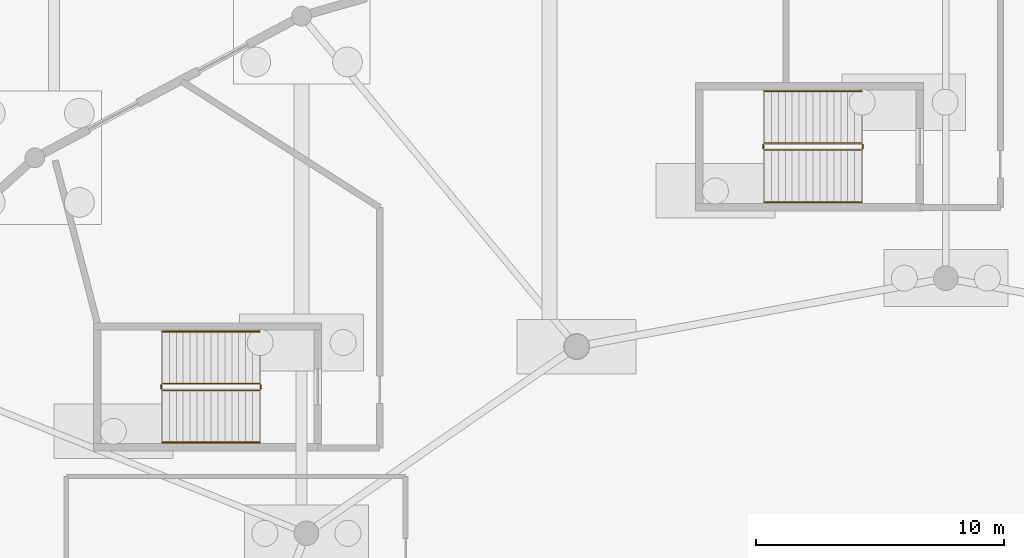
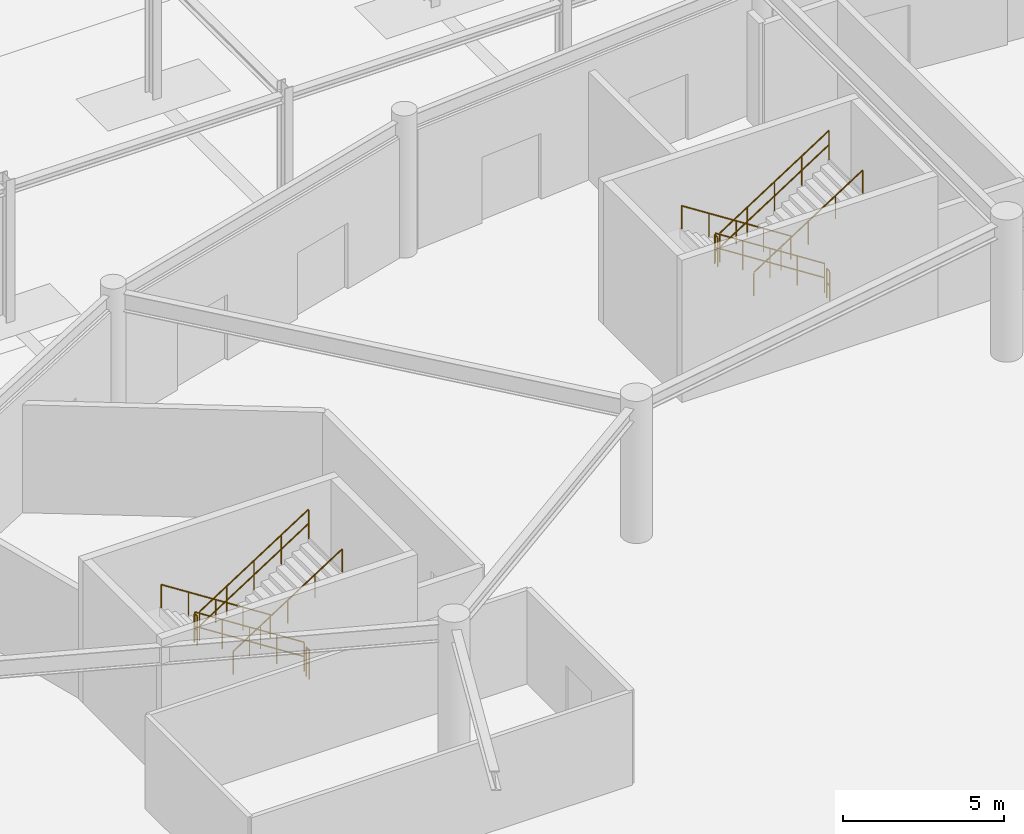
# One storey, part 91 of 99: 12 railings.
"""IFC4 building model written with IfcOpenShell, lengths in metres."""

from ifc_helpers import new_model, si_unit, direction, frame, origin, origin_2d, place, context, subcontext, project, spatial, circle, extrude, material, layer, layer_set, type_object, element, save


model = new_model("IFC4")

# Units and contexts
model_context = context("Model", 3, precision=1e-05, world=origin(), true_north=direction((0.0, 1.0)))
body_context = subcontext(model_context, "Body", "Model", "MODEL_VIEW")
ifc_project = project(units=[si_unit("LENGTHUNIT", "METRE"), si_unit("AREAUNIT", "SQUARE_METRE"), si_unit("VOLUMEUNIT", "CUBIC_METRE"), si_unit("PLANEANGLEUNIT", "RADIAN"), si_unit("MASSUNIT", "GRAM", prefix="KILO")], contexts=[model_context])

# Site, building, storey
site_placement = place(None, origin())
site = spatial("IfcSite", under=ifc_project, at=site_placement, CompositionType="ELEMENT")
building_placement = place(site_placement, origin())
building = spatial("IfcBuilding", under=site, at=building_placement, Name="Kivolera Central Railway Station", CompositionType="ELEMENT")
storey_placement = place(building_placement, origin())
storey = spatial("IfcBuildingStorey", under=building, at=storey_placement, Name="L00", CompositionType="ELEMENT", Elevation=0.0)

# Railings
ifc_material = material(Name="Anodised aluminium", Category="aluminium")
ifc_layer_1 = layer(ifc_material, 0.048095703125, Name="Anodised aluminium")
ifc_layer_set_1 = layer_set([ifc_layer_1], Name="Anodised aluminium")
railing_type_1 = type_object("IfcRailingType", Name="RL-STAIR-GUARD", PredefinedType="GUARDRAIL", material=ifc_layer_set_1)
railing_1_placement = place(storey_placement, frame((60.60009765625, 116.050048828125, 0.179931640625)))
element("IfcRailing", 1, at=railing_1_placement, inside=storey, type_object=railing_type_1, Name="L00 ST5 stair guard 1", PredefinedType="GUARDRAIL", context=body_context, shape_type="SweptSolid", body=[
    extrude(circle(Radius=0.02392578125, at=origin_2d()), frame((0.0, 0.0, 1.10595703125), z_axis=(-0.841186985886, 0.0, 0.540744352514), x_axis=(0.0, -1.0, 0.0)), (0.0, 0.0, 1.0), 4.660400390625),
    extrude(circle(Radius=0.02392578125, at=origin_2d()), frame((0.0, 0.0, 0.56494140625), z_axis=(-0.841186985886, 0.0, 0.540744352514), x_axis=(0.0, -1.0, 0.0)), (0.0, 0.0, 1.0), 4.660400390625),
    extrude(circle(Radius=0.02099609375, at=origin_2d()), origin(), (0.0, 0.0, 1.0), 1.081787109375),
    extrude(circle(Radius=0.02099609375, at=origin_2d()), frame((-0.97998046875, 0.0, 0.6298828125)), (0.0, 0.0, 1.0), 1.081787109375),
    extrude(circle(Radius=0.02099609375, at=origin_2d()), frame((-1.9599609375, 0.0, 1.260009765625)), (0.0, 0.0, 1.0), 1.081787109375),
    extrude(circle(Radius=0.02099609375, at=origin_2d()), frame((-2.940185546875, 0.0, 1.89013671875)), (0.0, 0.0, 1.0), 1.081787109375),
    extrude(circle(Radius=0.02099609375, at=origin_2d()), frame((-3.920166015625, 0.0, 2.52001953125)), (0.0, 0.0, 1.0), 1.081787109375),
])
railing_2_placement = place(storey_placement, frame((56.6298828125, 116.0, 2.699951171875)))
element("IfcRailing", 2, at=railing_2_placement, inside=storey, type_object=railing_type_1, Name="L00 ST5 stair guard 2", PredefinedType="GUARDRAIL", context=body_context, shape_type="SweptSolid", body=[
    extrude(circle(Radius=0.02392578125, at=origin_2d()), frame((0.0, 0.0, 1.10595703125), z_axis=(0.0, -1.0, 0.0), x_axis=(1.0, 0.0, 0.0)), (0.0, 0.0, 1.0), 0.179931640625),
    extrude(circle(Radius=0.02392578125, at=origin_2d()), frame((0.0, 0.0, 0.56494140625), z_axis=(0.0, -1.0, 0.0), x_axis=(1.0, 0.0, 0.0)), (0.0, 0.0, 1.0), 0.179931640625),
    extrude(circle(Radius=0.02099609375, at=origin_2d()), origin(), (0.0, 0.0, 1.0), 1.081787109375),
    extrude(circle(Radius=0.02099609375, at=origin_2d()), frame((0.0, -0.179931640625, 0.0)), (0.0, 0.0, 1.0), 1.081787109375),
])
railing_3_placement = place(storey_placement, frame((56.679931640625, 115.77001953125, 2.8798828125)))
element("IfcRailing", 3, at=railing_3_placement, inside=storey, type_object=railing_type_1, Name="L00 ST5 stair guard 3", PredefinedType="GUARDRAIL", context=body_context, shape_type="SweptSolid", body=[
    extrude(circle(Radius=0.02392578125, at=origin_2d()), frame((0.0, 0.0, 1.10595703125), z_axis=(0.841186985886, 0.0, 0.540744352514), x_axis=(0.0, 1.0, 0.0)), (0.0, 0.0, 1.0), 4.660400390625),
    extrude(circle(Radius=0.02392578125, at=origin_2d()), frame((0.0, 0.0, 0.56494140625), z_axis=(0.841186985886, 0.0, 0.540744352514), x_axis=(0.0, 1.0, 0.0)), (0.0, 0.0, 1.0), 4.660400390625),
    extrude(circle(Radius=0.02099609375, at=origin_2d()), origin(), (0.0, 0.0, 1.0), 1.081787109375),
    extrude(circle(Radius=0.02099609375, at=origin_2d()), frame((0.97998046875, 0.0, 0.6298828125)), (0.0, 0.0, 1.0), 1.081787109375),
    extrude(circle(Radius=0.02099609375, at=origin_2d()), frame((1.9599609375, 0.0, 1.260009765625)), (0.0, 0.0, 1.0), 1.081787109375),
    extrude(circle(Radius=0.02099609375, at=origin_2d()), frame((2.940185546875, 0.0, 1.89013671875)), (0.0, 0.0, 1.0), 1.081787109375),
    extrude(circle(Radius=0.02099609375, at=origin_2d()), frame((3.920166015625, 0.0, 2.52001953125)), (0.0, 0.0, 1.0), 1.081787109375),
])
railing_4_placement = place(storey_placement, frame((60.64990234375, 116.0, 0.0)))
element("IfcRailing", 4, at=railing_4_placement, inside=storey, type_object=railing_type_1, Name="L00 ST5 stair guard 4", PredefinedType="GUARDRAIL", context=body_context, shape_type="SweptSolid", body=[
    extrude(circle(Radius=0.02392578125, at=origin_2d()), frame((0.0, 0.0, 1.10595703125), z_axis=(0.0, -1.0, 0.0), x_axis=(1.0, 0.0, 0.0)), (0.0, 0.0, 1.0), 0.179931640625),
    extrude(circle(Radius=0.02392578125, at=origin_2d()), frame((0.0, 0.0, 0.56494140625), z_axis=(0.0, -1.0, 0.0), x_axis=(1.0, 0.0, 0.0)), (0.0, 0.0, 1.0), 0.179931640625),
    extrude(circle(Radius=0.02099609375, at=origin_2d()), origin(), (0.0, 0.0, 1.0), 1.081787109375),
    extrude(circle(Radius=0.02099609375, at=origin_2d()), frame((0.0, -0.179931640625, 0.0)), (0.0, 0.0, 1.0), 1.081787109375),
])
railing_5_placement = place(storey_placement, frame((36.300048828125, 106.35009765625, 0.179931640625)))
element("IfcRailing", 5, at=railing_5_placement, inside=storey, type_object=railing_type_1, Name="L00 ST6 stair guard 1", PredefinedType="GUARDRAIL", context=body_context, shape_type="SweptSolid", body=[
    extrude(circle(Radius=0.02392578125, at=origin_2d()), frame((0.0, 0.0, 1.10595703125), z_axis=(-0.841186985886, 0.0, 0.540744352514), x_axis=(0.0, -1.0, 0.0)), (0.0, 0.0, 1.0), 4.660400390625),
    extrude(circle(Radius=0.02392578125, at=origin_2d()), frame((0.0, 0.0, 0.56494140625), z_axis=(-0.841186985886, 0.0, 0.540744352514), x_axis=(0.0, -1.0, 0.0)), (0.0, 0.0, 1.0), 4.660400390625),
    extrude(circle(Radius=0.02099609375, at=origin_2d()), origin(), (0.0, 0.0, 1.0), 1.081787109375),
    extrude(circle(Radius=0.02099609375, at=origin_2d()), frame((-0.97998046875, 0.0, 0.6298828125)), (0.0, 0.0, 1.0), 1.081787109375),
    extrude(circle(Radius=0.02099609375, at=origin_2d()), frame((-1.9599609375, 0.0, 1.260009765625)), (0.0, 0.0, 1.0), 1.081787109375),
    extrude(circle(Radius=0.02099609375, at=origin_2d()), frame((-2.940185546875, 0.0, 1.89013671875)), (0.0, 0.0, 1.0), 1.081787109375),
    extrude(circle(Radius=0.02099609375, at=origin_2d()), frame((-3.920166015625, 0.0, 2.52001953125)), (0.0, 0.0, 1.0), 1.081787109375),
])
railing_6_placement = place(storey_placement, frame((32.330078125, 106.300048828125, 2.699951171875)))
element("IfcRailing", 6, at=railing_6_placement, inside=storey, type_object=railing_type_1, Name="L00 ST6 stair guard 2", PredefinedType="GUARDRAIL", context=body_context, shape_type="SweptSolid", body=[
    extrude(circle(Radius=0.02392578125, at=origin_2d()), frame((0.0, 0.0, 1.10595703125), z_axis=(0.0, -1.0, 0.0), x_axis=(1.0, 0.0, 0.0)), (0.0, 0.0, 1.0), 0.179931640625),
    extrude(circle(Radius=0.02392578125, at=origin_2d()), frame((0.0, 0.0, 0.56494140625), z_axis=(0.0, -1.0, 0.0), x_axis=(1.0, 0.0, 0.0)), (0.0, 0.0, 1.0), 0.179931640625),
    extrude(circle(Radius=0.02099609375, at=origin_2d()), origin(), (0.0, 0.0, 1.0), 1.081787109375),
    extrude(circle(Radius=0.02099609375, at=origin_2d()), frame((0.0, -0.179931640625, 0.0)), (0.0, 0.0, 1.0), 1.081787109375),
])
railing_7_placement = place(storey_placement, frame((32.3798828125, 106.070068359375, 2.8798828125)))
element("IfcRailing", 7, at=railing_7_placement, inside=storey, type_object=railing_type_1, Name="L00 ST6 stair guard 3", PredefinedType="GUARDRAIL", context=body_context, shape_type="SweptSolid", body=[
    extrude(circle(Radius=0.02392578125, at=origin_2d()), frame((0.0, 0.0, 1.10595703125), z_axis=(0.841186985886, 0.0, 0.540744352514), x_axis=(0.0, 1.0, 0.0)), (0.0, 0.0, 1.0), 4.660400390625),
    extrude(circle(Radius=0.02392578125, at=origin_2d()), frame((0.0, 0.0, 0.56494140625), z_axis=(0.841186985886, 0.0, 0.540744352514), x_axis=(0.0, 1.0, 0.0)), (0.0, 0.0, 1.0), 4.660400390625),
    extrude(circle(Radius=0.02099609375, at=origin_2d()), origin(), (0.0, 0.0, 1.0), 1.081787109375),
    extrude(circle(Radius=0.02099609375, at=origin_2d()), frame((0.97998046875, 0.0, 0.6298828125)), (0.0, 0.0, 1.0), 1.081787109375),
    extrude(circle(Radius=0.02099609375, at=origin_2d()), frame((1.9599609375, 0.0, 1.260009765625)), (0.0, 0.0, 1.0), 1.081787109375),
    extrude(circle(Radius=0.02099609375, at=origin_2d()), frame((2.940185546875, 0.0, 1.89013671875)), (0.0, 0.0, 1.0), 1.081787109375),
    extrude(circle(Radius=0.02099609375, at=origin_2d()), frame((3.920166015625, 0.0, 2.52001953125)), (0.0, 0.0, 1.0), 1.081787109375),
])
railing_8_placement = place(storey_placement, frame((36.35009765625, 106.300048828125, 0.0)))
element("IfcRailing", 8, at=railing_8_placement, inside=storey, type_object=railing_type_1, Name="L00 ST6 stair guard 4", PredefinedType="GUARDRAIL", context=body_context, shape_type="SweptSolid", body=[
    extrude(circle(Radius=0.02392578125, at=origin_2d()), frame((0.0, 0.0, 1.10595703125), z_axis=(0.0, -1.0, 0.0), x_axis=(1.0, 0.0, 0.0)), (0.0, 0.0, 1.0), 0.179931640625),
    extrude(circle(Radius=0.02392578125, at=origin_2d()), frame((0.0, 0.0, 0.56494140625), z_axis=(0.0, -1.0, 0.0), x_axis=(1.0, 0.0, 0.0)), (0.0, 0.0, 1.0), 0.179931640625),
    extrude(circle(Radius=0.02099609375, at=origin_2d()), origin(), (0.0, 0.0, 1.0), 1.081787109375),
    extrude(circle(Radius=0.02099609375, at=origin_2d()), frame((0.0, -0.179931640625, 0.0)), (0.0, 0.0, 1.0), 1.081787109375),
])
ifc_layer_2 = layer(ifc_material, 0.048095703125, Name="Anodised aluminium")
ifc_layer_set_2 = layer_set([ifc_layer_2], Name="Anodised aluminium")
railing_type_2 = type_object("IfcRailingType", Name="RL-STAIR-HAND", PredefinedType="HANDRAIL", material=ifc_layer_set_2)
railing_9_placement = place(storey_placement, frame((60.60009765625, 118.14990234375, 0.179931640625)))
element("IfcRailing", 9, at=railing_9_placement, inside=storey, type_object=railing_type_2, Name="L00 ST5 stair handrail 1", PredefinedType="HANDRAIL", context=body_context, shape_type="SweptSolid", body=[
    extrude(circle(Radius=0.02392578125, at=origin_2d()), frame((0.0, 0.0, 0.8759765625), z_axis=(-0.841186985886, 0.0, 0.540744352514), x_axis=(0.0, -1.0, 0.0)), (0.0, 0.0, 1.0), 4.660400390625),
    extrude(circle(Radius=0.02099609375, at=origin_2d()), origin(), (0.0, 0.0, 1.0), 0.851806640625),
    extrude(circle(Radius=0.02099609375, at=origin_2d()), frame((-0.97998046875, 0.0, 0.6298828125)), (0.0, 0.0, 1.0), 0.851806640625),
    extrude(circle(Radius=0.02099609375, at=origin_2d()), frame((-1.9599609375, 0.0, 1.260009765625)), (0.0, 0.0, 1.0), 0.851806640625),
    extrude(circle(Radius=0.02099609375, at=origin_2d()), frame((-2.940185546875, 0.0, 1.89013671875)), (0.0, 0.0, 1.0), 0.851806640625),
    extrude(circle(Radius=0.02099609375, at=origin_2d()), frame((-3.920166015625, 0.0, 2.52001953125)), (0.0, 0.0, 1.0), 0.851806640625),
])
railing_10_placement = place(storey_placement, frame((56.679931640625, 113.669921875, 2.8798828125)))
element("IfcRailing", 10, at=railing_10_placement, inside=storey, type_object=railing_type_2, Name="L00 ST5 stair handrail 2", PredefinedType="HANDRAIL", context=body_context, shape_type="SweptSolid", body=[
    extrude(circle(Radius=0.02392578125, at=origin_2d()), frame((0.0, 0.0, 0.8759765625), z_axis=(0.841186985886, 0.0, 0.540744352514), x_axis=(0.0, 1.0, 0.0)), (0.0, 0.0, 1.0), 4.660400390625),
    extrude(circle(Radius=0.02099609375, at=origin_2d()), origin(), (0.0, 0.0, 1.0), 0.851806640625),
    extrude(circle(Radius=0.02099609375, at=origin_2d()), frame((0.97998046875, 0.0, 0.6298828125)), (0.0, 0.0, 1.0), 0.851806640625),
    extrude(circle(Radius=0.02099609375, at=origin_2d()), frame((1.9599609375, 0.0, 1.260009765625)), (0.0, 0.0, 1.0), 0.851806640625),
    extrude(circle(Radius=0.02099609375, at=origin_2d()), frame((2.940185546875, 0.0, 1.89013671875)), (0.0, 0.0, 1.0), 0.851806640625),
    extrude(circle(Radius=0.02099609375, at=origin_2d()), frame((3.920166015625, 0.0, 2.52001953125)), (0.0, 0.0, 1.0), 0.851806640625),
])
railing_11_placement = place(storey_placement, frame((36.300048828125, 108.449951171875, 0.179931640625)))
element("IfcRailing", 11, at=railing_11_placement, inside=storey, type_object=railing_type_2, Name="L00 ST6 stair handrail 1", PredefinedType="HANDRAIL", context=body_context, shape_type="SweptSolid", body=[
    extrude(circle(Radius=0.02392578125, at=origin_2d()), frame((0.0, 0.0, 0.8759765625), z_axis=(-0.841186985886, 0.0, 0.540744352514), x_axis=(0.0, -1.0, 0.0)), (0.0, 0.0, 1.0), 4.660400390625),
    extrude(circle(Radius=0.02099609375, at=origin_2d()), origin(), (0.0, 0.0, 1.0), 0.851806640625),
    extrude(circle(Radius=0.02099609375, at=origin_2d()), frame((-0.97998046875, 0.0, 0.6298828125)), (0.0, 0.0, 1.0), 0.851806640625),
    extrude(circle(Radius=0.02099609375, at=origin_2d()), frame((-1.9599609375, 0.0, 1.260009765625)), (0.0, 0.0, 1.0), 0.851806640625),
    extrude(circle(Radius=0.02099609375, at=origin_2d()), frame((-2.940185546875, 0.0, 1.89013671875)), (0.0, 0.0, 1.0), 0.851806640625),
    extrude(circle(Radius=0.02099609375, at=origin_2d()), frame((-3.920166015625, 0.0, 2.52001953125)), (0.0, 0.0, 1.0), 0.851806640625),
])
railing_12_placement = place(storey_placement, frame((32.3798828125, 103.969970703125, 2.8798828125)))
element("IfcRailing", 12, at=railing_12_placement, inside=storey, type_object=railing_type_2, Name="L00 ST6 stair handrail 2", PredefinedType="HANDRAIL", context=body_context, shape_type="SweptSolid", body=[
    extrude(circle(Radius=0.02392578125, at=origin_2d()), frame((0.0, 0.0, 0.8759765625), z_axis=(0.841186985886, 0.0, 0.540744352514), x_axis=(0.0, 1.0, 0.0)), (0.0, 0.0, 1.0), 4.660400390625),
    extrude(circle(Radius=0.02099609375, at=origin_2d()), origin(), (0.0, 0.0, 1.0), 0.851806640625),
    extrude(circle(Radius=0.02099609375, at=origin_2d()), frame((0.97998046875, 0.0, 0.6298828125)), (0.0, 0.0, 1.0), 0.851806640625),
    extrude(circle(Radius=0.02099609375, at=origin_2d()), frame((1.9599609375, 0.0, 1.260009765625)), (0.0, 0.0, 1.0), 0.851806640625),
    extrude(circle(Radius=0.02099609375, at=origin_2d()), frame((2.940185546875, 0.0, 1.89013671875)), (0.0, 0.0, 1.0), 0.851806640625),
    extrude(circle(Radius=0.02099609375, at=origin_2d()), frame((3.920166015625, 0.0, 2.52001953125)), (0.0, 0.0, 1.0), 0.851806640625),
])

save(model, "model.ifc")
